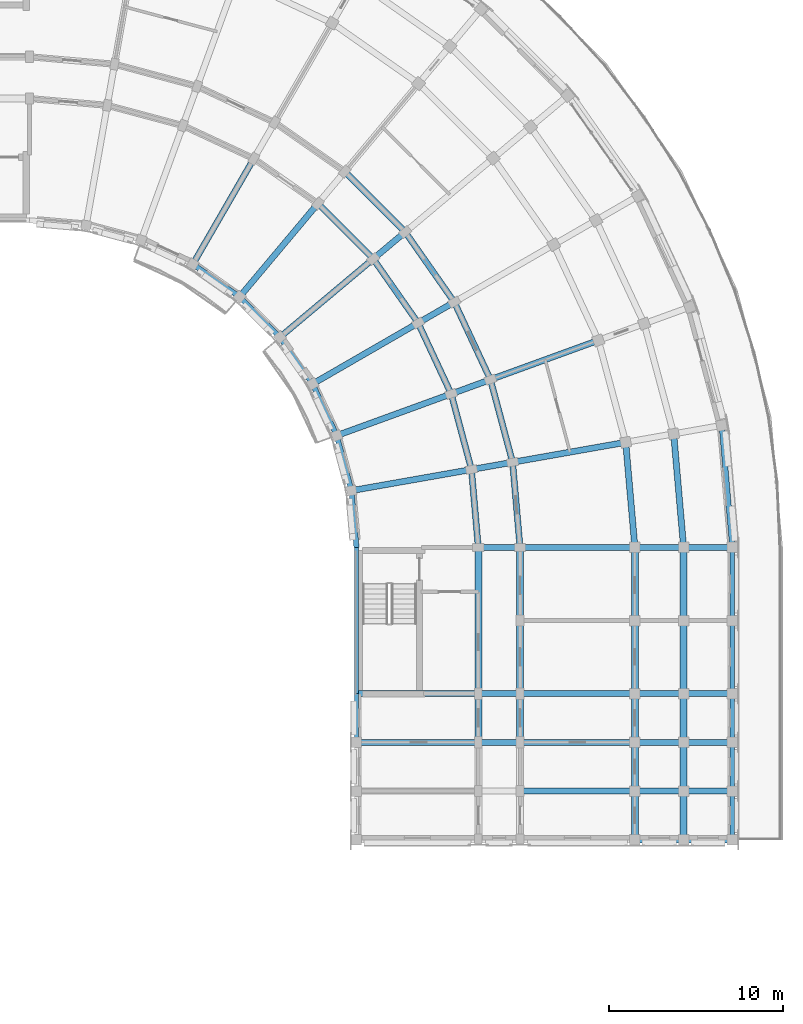
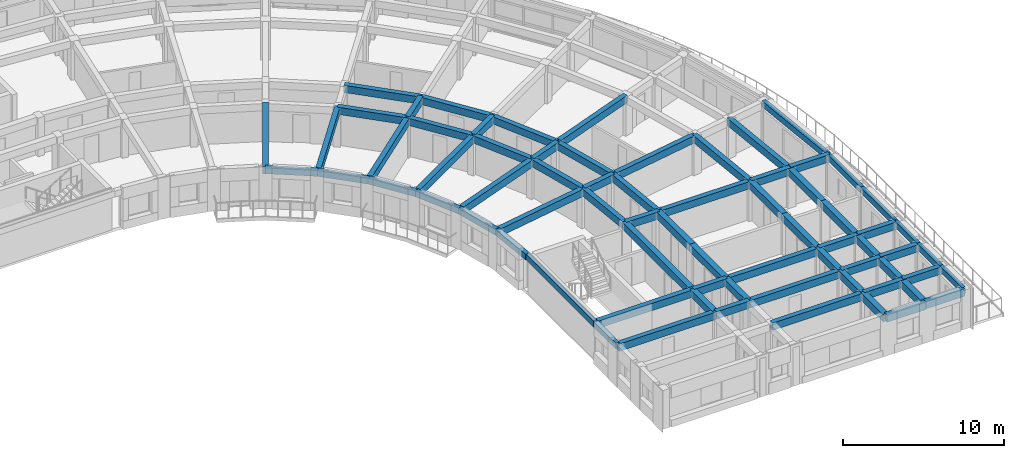
# One storey, part 8 of 41: 72 beams.
"""IFC4 building model written with IfcOpenShell, lengths in metres."""

from ifc_helpers import new_model, si_unit, direction, frame, origin, origin_2d, place, context, subcontext, project, spatial, rectangle, extrude, material, material_profile, profile_set, type_object, element, save


model = new_model("IFC4")

# Units and contexts
model_context = context("Model", 3, precision=1e-05, world=origin(), true_north=direction((0.0, 1.0)))
body_context = subcontext(model_context, "Body", "Model", "MODEL_VIEW")
ifc_project = project(units=[si_unit("LENGTHUNIT", "METRE"), si_unit("AREAUNIT", "SQUARE_METRE"), si_unit("VOLUMEUNIT", "CUBIC_METRE"), si_unit("PLANEANGLEUNIT", "RADIAN"), si_unit("MASSUNIT", "GRAM", prefix="KILO")], contexts=[model_context])

# Site, building, storey
site_placement = place(None, origin())
site = spatial("IfcSite", under=ifc_project, at=site_placement, CompositionType="ELEMENT")
building_placement = place(site_placement, origin())
building = spatial("IfcBuilding", under=site, at=building_placement, Name="Kiranvali Square Residences", CompositionType="ELEMENT")
storey_placement = place(building_placement, frame((0.0, 0.0, 33.89990234375)))
storey = spatial("IfcBuildingStorey", under=building, at=storey_placement, Name="L10", CompositionType="ELEMENT", Elevation=33.89990234375)

# Beams
ifc_material_1 = material(Name="Concrete M40 (40 MPa)", Category="concrete")
ifc_material_profile_1 = material_profile(ifc_material_1, rectangle(XDim=0.35009765625, YDim=0.550048828125, at=origin_2d()), Name="RC 350x550")
ifc_profile_set_1 = profile_set([ifc_material_profile_1], Name="Concrete M40 (40 MPa)")
beam_type_1 = type_object("IfcBeamType", Name="BM-M40-350x550", PredefinedType="BEAM", material=ifc_profile_set_1)
beam_1_placement = place(storey_placement, frame((136.384033203125, 107.56396484375, 2.655029296875), z_axis=(0.707106781187, -0.707106781187, 0.0), x_axis=(0.707106781187, 0.707106781187, 0.0)))
element("IfcBeam", 1, at=beam_1_placement, inside=storey, type_object=beam_type_1, Name="L10 beam BM-B-L10-C04-R1", PredefinedType="BEAM", context=body_context, shape_type="SweptSolid", body=[
    extrude(rectangle(XDim=0.35009765625, YDim=0.550048828125, at=origin_2d()), origin(), (0.0, 0.0, 1.0), 4.4970703125),
])
beam_2_placement = place(storey_placement, frame((137.926513671875, 109.40234375, 2.655029296875), z_axis=(0.707106781187, -0.707106781187, 0.0), x_axis=(0.707106781187, 0.707106781187, 0.0)))
element("IfcBeam", 2, at=beam_2_placement, inside=storey, type_object=beam_type_1, Name="L10 beam BM-B-L10-C04-R2", PredefinedType="BEAM", context=body_context, shape_type="SweptSolid", body=[
    extrude(rectangle(XDim=0.35009765625, YDim=0.550048828125, at=origin_2d()), origin(), (0.0, 0.0, 1.0), 4.91552734375),
])
beam_3_placement = place(storey_placement, frame((139.56396484375, 104.384033203125, 2.655029296875), z_axis=(0.573571637217, -0.819155404658, 0.0), x_axis=(0.819155404658, 0.573571637217, 0.0)))
element("IfcBeam", 3, at=beam_3_placement, inside=storey, type_object=beam_type_1, Name="L10 beam BM-B-L10-C05-R1", PredefinedType="BEAM", context=body_context, shape_type="SweptSolid", body=[
    extrude(rectangle(XDim=0.35009765625, YDim=0.550048828125, at=origin_2d()), origin(), (0.0, 0.0, 1.0), 4.497314453125),
])
beam_4_placement = place(storey_placement, frame((141.40234375, 105.926513671875, 2.655029296875), z_axis=(0.573592335331, -0.819140911474, 0.0), x_axis=(0.819140911474, 0.573592335331, 0.0)))
element("IfcBeam", 4, at=beam_4_placement, inside=storey, type_object=beam_type_1, Name="L10 beam BM-B-L10-C05-R2", PredefinedType="BEAM", context=body_context, shape_type="SweptSolid", body=[
    extrude(rectangle(XDim=0.35009765625, YDim=0.550048828125, at=origin_2d()), origin(), (0.0, 0.0, 1.0), 4.915771484375),
])
beam_5_placement = place(storey_placement, frame((142.1435546875, 100.699951171875, 2.655029296875), z_axis=(0.422617978463, -0.906307919131, 0.0), x_axis=(0.906307919131, 0.422617978463, 0.0)))
element("IfcBeam", 5, at=beam_5_placement, inside=storey, type_object=beam_type_1, Name="L10 beam BM-B-L10-C06-R1", PredefinedType="BEAM", context=body_context, shape_type="SweptSolid", body=[
    extrude(rectangle(XDim=0.35009765625, YDim=0.550048828125, at=origin_2d()), origin(), (0.0, 0.0, 1.0), 4.497314453125),
])
beam_6_placement = place(storey_placement, frame((144.221923828125, 101.89990234375, 2.655029296875), z_axis=(0.422629854778, -0.906302381024, 0.0), x_axis=(0.906302381024, 0.422629854778, 0.0)))
element("IfcBeam", 6, at=beam_6_placement, inside=storey, type_object=beam_type_1, Name="L10 beam BM-B-L10-C06-R2", PredefinedType="BEAM", context=body_context, shape_type="SweptSolid", body=[
    extrude(rectangle(XDim=0.35009765625, YDim=0.550048828125, at=origin_2d()), origin(), (0.0, 0.0, 1.0), 4.915283203125),
])
beam_7_placement = place(storey_placement, frame((144.044189453125, 96.6240234375, 2.655029296875), z_axis=(0.258787642463, -0.965934240054, 0.0), x_axis=(0.965934240054, 0.258787642463, 0.0)))
element("IfcBeam", 7, at=beam_7_placement, inside=storey, type_object=beam_type_1, Name="L10 beam BM-B-L10-C07-R1", PredefinedType="BEAM", context=body_context, shape_type="SweptSolid", body=[
    extrude(rectangle(XDim=0.35009765625, YDim=0.550048828125, at=origin_2d()), origin(), (0.0, 0.0, 1.0), 4.497314453125),
])
beam_8_placement = place(storey_placement, frame((146.29931640625, 97.445068359375, 2.655029296875), z_axis=(0.258803112091, -0.965930095386, 0.0), x_axis=(0.965930095386, 0.258803112091, 0.0)))
element("IfcBeam", 8, at=beam_8_placement, inside=storey, type_object=beam_type_1, Name="L10 beam BM-B-L10-C07-R2", PredefinedType="BEAM", context=body_context, shape_type="SweptSolid", body=[
    extrude(rectangle(XDim=0.35009765625, YDim=0.550048828125, at=origin_2d()), origin(), (0.0, 0.0, 1.0), 4.915771484375),
])
beam_9_placement = place(storey_placement, frame((145.2080078125, 92.280029296875, 2.655029296875), z_axis=(0.087187153726, -0.996191949488, 0.0), x_axis=(0.996191949488, 0.087187153726, 0.0)))
element("IfcBeam", 9, at=beam_9_placement, inside=storey, type_object=beam_type_1, Name="L10 beam BM-B-L10-C08-R1", PredefinedType="BEAM", context=body_context, shape_type="SweptSolid", body=[
    extrude(rectangle(XDim=0.35009765625, YDim=0.550048828125, at=origin_2d()), origin(), (0.0, 0.0, 1.0), 4.4970703125),
])
beam_10_placement = place(storey_placement, frame((147.571533203125, 92.69677734375, 2.655029296875), z_axis=(0.087167566415, -0.996193663584, 0.0), x_axis=(0.996193663584, 0.087167566415, 0.0)))
element("IfcBeam", 10, at=beam_10_placement, inside=storey, type_object=beam_type_1, Name="L10 beam BM-B-L10-C08-R2", PredefinedType="BEAM", context=body_context, shape_type="SweptSolid", body=[
    extrude(rectangle(XDim=0.35009765625, YDim=0.550048828125, at=origin_2d()), origin(), (0.0, 0.0, 1.0), 4.91552734375),
])
beam_11_placement = place(storey_placement, frame((154.0712890625, 93.843017578125, 2.655029296875), z_axis=(0.087174938512, -0.996193018494, 0.0), x_axis=(0.996193018494, 0.087174938512, 0.0)))
element("IfcBeam", 11, at=beam_11_placement, inside=storey, type_object=beam_type_1, Name="L10 beam BM-B-L10-C08-R3", PredefinedType="BEAM", context=body_context, shape_type="SweptSolid", body=[
    extrude(rectangle(XDim=0.35009765625, YDim=0.550048828125, at=origin_2d()), origin(), (0.0, 0.0, 1.0), 6.066162109375),
])
beam_12_placement = place(storey_placement, frame((156.828857421875, 94.3291015625, 2.655029296875), z_axis=(0.0871295204, -0.996196991902, 0.0), x_axis=(0.996196991902, 0.0871295204, 0.0)))
element("IfcBeam", 12, at=beam_12_placement, inside=storey, type_object=beam_type_1, Name="L10 beam BM-B-L10-C08-R4", PredefinedType="BEAM", context=body_context, shape_type="SweptSolid", body=[
    extrude(rectangle(XDim=0.35009765625, YDim=0.550048828125, at=origin_2d()), origin(), (0.0, 0.0, 1.0), 6.553955078125),
])
for number, where, z_axis, x_axis, name in (
    (13, (129.199951171875, 104.081298828125, 2.655029296875), (0.499995173006, 0.866028190633, 0.0), (-0.866028190633, 0.499995173006, 0.0), "L10 beam BM-B-L10-RAD03-01"),
    (14, (131.884521484375, 102.20166015625, 2.655029296875), (0.642787931032, 0.766044173478, 0.0), (-0.766044173478, 0.642787931032, 0.0), "L10 beam BM-B-L10-RAD04-01"),
    (15, (134.20166015625, 99.884521484375, 2.655029296875), (0.766044173478, 0.642787931032, 0.0), (-0.642787931032, 0.766044173478, 0.0), "L10 beam BM-B-L10-RAD05-01"),
):
    element("IfcBeam", number, at=place(storey_placement, frame(where, z_axis=z_axis, x_axis=x_axis)), inside=storey, type_object=beam_type_1, Name=name, PredefinedType="BEAM", context=body_context, shape_type="SweptSolid", body=[
        extrude(rectangle(XDim=0.35009765625, YDim=0.550048828125, at=origin_2d()), origin(), (0.0, 0.0, 1.0), 7.0),
    ])
beam_13_placement = place(storey_placement, frame((139.56396484375, 104.384033203125, 2.655029296875), z_axis=(0.766065493671, 0.642762521781, 0.0), x_axis=(-0.642762521781, 0.766065493671, 0.0)))
element("IfcBeam", 16, at=beam_13_placement, inside=storey, type_object=beam_type_1, Name="L10 beam BM-B-L10-RAD05-12", PredefinedType="BEAM", context=body_context, shape_type="SweptSolid", body=[
    extrude(rectangle(XDim=0.35009765625, YDim=0.550048828125, at=origin_2d()), origin(), (0.0, 0.0, 1.0), 2.399658203125),
])
beam_14_placement = place(storey_placement, frame((136.081298828125, 97.199951171875, 2.655029296875), z_axis=(0.866028190633, 0.499995173006, 0.0), x_axis=(-0.499995173006, 0.866028190633, 0.0)))
element("IfcBeam", 17, at=beam_14_placement, inside=storey, type_object=beam_type_1, Name="L10 beam BM-B-L10-RAD06-01", PredefinedType="BEAM", context=body_context, shape_type="SweptSolid", body=[
    extrude(rectangle(XDim=0.35009765625, YDim=0.550048828125, at=origin_2d()), origin(), (0.0, 0.0, 1.0), 7.0),
])
beam_15_placement = place(storey_placement, frame((142.1435546875, 100.699951171875, 2.655029296875), z_axis=(0.866024647952, 0.500001309137, 0.0), x_axis=(-0.500001309137, 0.866024647952, 0.0)))
element("IfcBeam", 18, at=beam_15_placement, inside=storey, type_object=beam_type_1, Name="L10 beam BM-B-L10-RAD06-12", PredefinedType="BEAM", context=body_context, shape_type="SweptSolid", body=[
    extrude(rectangle(XDim=0.35009765625, YDim=0.550048828125, at=origin_2d()), origin(), (0.0, 0.0, 1.0), 2.39990234375),
])
beam_16_placement = place(storey_placement, frame((137.46630859375, 94.22998046875, 2.655029296875), z_axis=(0.939697665127, 0.342006283793, 0.0), x_axis=(-0.342006283793, 0.939697665127, 0.0)))
element("IfcBeam", 19, at=beam_16_placement, inside=storey, type_object=beam_type_1, Name="L10 beam BM-B-L10-RAD07-01", PredefinedType="BEAM", context=body_context, shape_type="SweptSolid", body=[
    extrude(rectangle(XDim=0.35009765625, YDim=0.550048828125, at=origin_2d()), origin(), (0.0, 0.0, 1.0), 7.0),
])
beam_17_placement = place(storey_placement, frame((144.044189453125, 96.6240234375, 2.655029296875), z_axis=(0.939659694648, 0.342110593602, 0.0), x_axis=(-0.342110593602, 0.939659694648, 0.0)))
element("IfcBeam", 20, at=beam_17_placement, inside=storey, type_object=beam_type_1, Name="L10 beam BM-B-L10-RAD07-12", PredefinedType="BEAM", context=body_context, shape_type="SweptSolid", body=[
    extrude(rectangle(XDim=0.35009765625, YDim=0.550048828125, at=origin_2d()), origin(), (0.0, 0.0, 1.0), 2.39990234375),
])
beam_18_placement = place(storey_placement, frame((146.29931640625, 97.445068359375, 2.655029296875), z_axis=(0.939691858249, 0.342022238372, 0.0), x_axis=(-0.342022238372, 0.939691858249, 0.0)))
element("IfcBeam", 21, at=beam_18_placement, inside=storey, type_object=beam_type_1, Name="L10 beam BM-B-L10-RAD07-23", PredefinedType="BEAM", context=body_context, shape_type="SweptSolid", body=[
    extrude(rectangle(XDim=0.35009765625, YDim=0.550048828125, at=origin_2d()), origin(), (0.0, 0.0, 1.0), 6.599853515625),
])
beam_19_placement = place(storey_placement, frame((138.314453125, 91.064697265625, 2.655029296875), z_axis=(0.984812337125, 0.173622177865, 0.0), x_axis=(-0.173622177865, 0.984812337125, 0.0)))
element("IfcBeam", 22, at=beam_19_placement, inside=storey, type_object=beam_type_1, Name="L10 beam BM-B-L10-RAD08-01", PredefinedType="BEAM", context=body_context, shape_type="SweptSolid", body=[
    extrude(rectangle(XDim=0.35009765625, YDim=0.550048828125, at=origin_2d()), origin(), (0.0, 0.0, 1.0), 6.999755859375),
])
beam_20_placement = place(storey_placement, frame((145.2080078125, 92.280029296875, 2.655029296875), z_axis=(0.984808127031, 0.173646056486, 0.0), x_axis=(-0.173646056486, 0.984808127031, 0.0)))
element("IfcBeam", 23, at=beam_20_placement, inside=storey, type_object=beam_type_1, Name="L10 beam BM-B-L10-RAD08-12", PredefinedType="BEAM", context=body_context, shape_type="SweptSolid", body=[
    extrude(rectangle(XDim=0.35009765625, YDim=0.550048828125, at=origin_2d()), origin(), (0.0, 0.0, 1.0), 2.39990234375),
])
beam_21_placement = place(storey_placement, frame((147.571533203125, 92.69677734375, 2.655029296875), z_axis=(0.984803661269, 0.173671381499, 0.0), x_axis=(-0.173671381499, 0.984803661269, 0.0)))
element("IfcBeam", 24, at=beam_21_placement, inside=storey, type_object=beam_type_1, Name="L10 beam BM-B-L10-RAD08-23", PredefinedType="BEAM", context=body_context, shape_type="SweptSolid", body=[
    extrude(rectangle(XDim=0.35009765625, YDim=0.550048828125, at=origin_2d()), origin(), (0.0, 0.0, 1.0), 6.60009765625),
])
beam_22_placement = place(storey_placement, frame((145.60009765625, 87.800048828125, 2.655029296875), z_axis=(1.0, 0.0, 0.0), x_axis=(0.0, 1.0, 0.0)))
element("IfcBeam", 25, at=beam_22_placement, inside=storey, type_object=beam_type_1, Name="L10 beam BM-B-L10-A2T0-12", PredefinedType="BEAM", context=body_context, shape_type="SweptSolid", body=[
    extrude(rectangle(XDim=0.35009765625, YDim=0.550048828125, at=origin_2d()), origin(), (0.0, 0.0, 1.0), 2.39990234375),
])
beam_23_placement = place(storey_placement, frame((148.0, 87.800048828125, 2.655029296875), z_axis=(1.0, 0.0, 0.0), x_axis=(0.0, 1.0, 0.0)))
element("IfcBeam", 26, at=beam_23_placement, inside=storey, type_object=beam_type_1, Name="L10 beam BM-B-L10-A2T0-23", PredefinedType="BEAM", context=body_context, shape_type="SweptSolid", body=[
    extrude(rectangle(XDim=0.35009765625, YDim=0.550048828125, at=origin_2d()), origin(), (0.0, 0.0, 1.0), 6.60009765625),
])
beam_24_placement = place(storey_placement, frame((154.60009765625, 87.800048828125, 2.655029296875), z_axis=(1.0, 0.0, 0.0), x_axis=(0.0, 1.0, 0.0)))
element("IfcBeam", 27, at=beam_24_placement, inside=storey, type_object=beam_type_1, Name="L10 beam BM-B-L10-A2T0-34", PredefinedType="BEAM", context=body_context, shape_type="SweptSolid", body=[
    extrude(rectangle(XDim=0.35009765625, YDim=0.550048828125, at=origin_2d()), origin(), (0.0, 0.0, 1.0), 2.7998046875),
])
beam_25_placement = place(storey_placement, frame((157.39990234375, 87.800048828125, 2.695068359375), z_axis=(1.0, 0.0, 0.0), x_axis=(0.0, 1.0, 0.0)))
element("IfcBeam", 28, at=beam_25_placement, inside=storey, type_object=beam_type_1, Name="L10 beam BM-B-L10-A2T0-45", PredefinedType="BEAM", context=body_context, shape_type="SweptSolid", body=[
    extrude(rectangle(XDim=0.35009765625, YDim=0.550048828125, at=origin_2d()), origin(), (0.0, 0.0, 1.0), 2.800048828125),
])
beam_26_placement = place(storey_placement, frame((138.60009765625, 79.39990234375, 2.655029296875), z_axis=(1.0, 0.0, 0.0), x_axis=(0.0, 1.0, 0.0)))
element("IfcBeam", 29, at=beam_26_placement, inside=storey, type_object=beam_type_1, Name="L10 beam BM-B-L10-A2T1-01", PredefinedType="BEAM", context=body_context, shape_type="SweptSolid", body=[
    extrude(rectangle(XDim=0.35009765625, YDim=0.550048828125, at=origin_2d()), origin(), (0.0, 0.0, 1.0), 7.0),
])
beam_27_placement = place(storey_placement, frame((145.60009765625, 79.39990234375, 2.655029296875), z_axis=(1.0, 0.0, 0.0), x_axis=(0.0, 1.0, 0.0)))
element("IfcBeam", 30, at=beam_27_placement, inside=storey, type_object=beam_type_1, Name="L10 beam BM-B-L10-A2T1-12", PredefinedType="BEAM", context=body_context, shape_type="SweptSolid", body=[
    extrude(rectangle(XDim=0.35009765625, YDim=0.550048828125, at=origin_2d()), origin(), (0.0, 0.0, 1.0), 2.39990234375),
])
beam_28_placement = place(storey_placement, frame((148.0, 79.39990234375, 2.655029296875), z_axis=(1.0, 0.0, 0.0), x_axis=(0.0, 1.0, 0.0)))
element("IfcBeam", 31, at=beam_28_placement, inside=storey, type_object=beam_type_1, Name="L10 beam BM-B-L10-A2T1-23", PredefinedType="BEAM", context=body_context, shape_type="SweptSolid", body=[
    extrude(rectangle(XDim=0.35009765625, YDim=0.550048828125, at=origin_2d()), origin(), (0.0, 0.0, 1.0), 6.60009765625),
])
beam_29_placement = place(storey_placement, frame((154.60009765625, 79.39990234375, 2.655029296875), z_axis=(1.0, 0.0, 0.0), x_axis=(0.0, 1.0, 0.0)))
element("IfcBeam", 32, at=beam_29_placement, inside=storey, type_object=beam_type_1, Name="L10 beam BM-B-L10-A2T1-34", PredefinedType="BEAM", context=body_context, shape_type="SweptSolid", body=[
    extrude(rectangle(XDim=0.35009765625, YDim=0.550048828125, at=origin_2d()), origin(), (0.0, 0.0, 1.0), 2.7998046875),
])
beam_30_placement = place(storey_placement, frame((157.39990234375, 79.39990234375, 2.695068359375), z_axis=(1.0, 0.0, 0.0), x_axis=(0.0, 1.0, 0.0)))
element("IfcBeam", 33, at=beam_30_placement, inside=storey, type_object=beam_type_1, Name="L10 beam BM-B-L10-A2T1-45", PredefinedType="BEAM", context=body_context, shape_type="SweptSolid", body=[
    extrude(rectangle(XDim=0.35009765625, YDim=0.550048828125, at=origin_2d()), origin(), (0.0, 0.0, 1.0), 2.800048828125),
])
beam_31_placement = place(storey_placement, frame((138.60009765625, 76.60009765625, 2.655029296875), z_axis=(1.0, 0.0, 0.0), x_axis=(0.0, 1.0, 0.0)))
element("IfcBeam", 34, at=beam_31_placement, inside=storey, type_object=beam_type_1, Name="L10 beam BM-B-L10-A2T2-01", PredefinedType="BEAM", context=body_context, shape_type="SweptSolid", body=[
    extrude(rectangle(XDim=0.35009765625, YDim=0.550048828125, at=origin_2d()), origin(), (0.0, 0.0, 1.0), 7.0),
])
beam_32_placement = place(storey_placement, frame((145.60009765625, 76.60009765625, 2.655029296875), z_axis=(1.0, 0.0, 0.0), x_axis=(0.0, 1.0, 0.0)))
element("IfcBeam", 35, at=beam_32_placement, inside=storey, type_object=beam_type_1, Name="L10 beam BM-B-L10-A2T2-12", PredefinedType="BEAM", context=body_context, shape_type="SweptSolid", body=[
    extrude(rectangle(XDim=0.35009765625, YDim=0.550048828125, at=origin_2d()), origin(), (0.0, 0.0, 1.0), 2.39990234375),
])
beam_33_placement = place(storey_placement, frame((148.0, 76.60009765625, 2.655029296875), z_axis=(1.0, 0.0, 0.0), x_axis=(0.0, 1.0, 0.0)))
element("IfcBeam", 36, at=beam_33_placement, inside=storey, type_object=beam_type_1, Name="L10 beam BM-B-L10-A2T2-23", PredefinedType="BEAM", context=body_context, shape_type="SweptSolid", body=[
    extrude(rectangle(XDim=0.35009765625, YDim=0.550048828125, at=origin_2d()), origin(), (0.0, 0.0, 1.0), 6.60009765625),
])
beam_34_placement = place(storey_placement, frame((154.60009765625, 76.60009765625, 2.655029296875), z_axis=(1.0, 0.0, 0.0), x_axis=(0.0, 1.0, 0.0)))
element("IfcBeam", 37, at=beam_34_placement, inside=storey, type_object=beam_type_1, Name="L10 beam BM-B-L10-A2T2-34", PredefinedType="BEAM", context=body_context, shape_type="SweptSolid", body=[
    extrude(rectangle(XDim=0.35009765625, YDim=0.550048828125, at=origin_2d()), origin(), (0.0, 0.0, 1.0), 2.7998046875),
])
beam_35_placement = place(storey_placement, frame((157.39990234375, 76.60009765625, 2.695068359375), z_axis=(1.0, 0.0, 0.0), x_axis=(0.0, 1.0, 0.0)))
element("IfcBeam", 38, at=beam_35_placement, inside=storey, type_object=beam_type_1, Name="L10 beam BM-B-L10-A2T2-45", PredefinedType="BEAM", context=body_context, shape_type="SweptSolid", body=[
    extrude(rectangle(XDim=0.35009765625, YDim=0.550048828125, at=origin_2d()), origin(), (0.0, 0.0, 1.0), 2.800048828125),
])
beam_36_placement = place(storey_placement, frame((148.0, 73.800048828125, 2.655029296875), z_axis=(1.0, 0.0, 0.0), x_axis=(0.0, 1.0, 0.0)))
element("IfcBeam", 39, at=beam_36_placement, inside=storey, type_object=beam_type_1, Name="L10 beam BM-B-L10-A2T3-23", PredefinedType="BEAM", context=body_context, shape_type="SweptSolid", body=[
    extrude(rectangle(XDim=0.35009765625, YDim=0.550048828125, at=origin_2d()), origin(), (0.0, 0.0, 1.0), 6.60009765625),
])
beam_37_placement = place(storey_placement, frame((154.60009765625, 73.800048828125, 2.655029296875), z_axis=(1.0, 0.0, 0.0), x_axis=(0.0, 1.0, 0.0)))
element("IfcBeam", 40, at=beam_37_placement, inside=storey, type_object=beam_type_1, Name="L10 beam BM-B-L10-A2T3-34", PredefinedType="BEAM", context=body_context, shape_type="SweptSolid", body=[
    extrude(rectangle(XDim=0.35009765625, YDim=0.550048828125, at=origin_2d()), origin(), (0.0, 0.0, 1.0), 2.7998046875),
])
beam_38_placement = place(storey_placement, frame((157.39990234375, 73.800048828125, 2.695068359375), z_axis=(1.0, 0.0, 0.0), x_axis=(0.0, 1.0, 0.0)))
element("IfcBeam", 41, at=beam_38_placement, inside=storey, type_object=beam_type_1, Name="L10 beam BM-B-L10-A2T3-45", PredefinedType="BEAM", context=body_context, shape_type="SweptSolid", body=[
    extrude(rectangle(XDim=0.35009765625, YDim=0.550048828125, at=origin_2d()), origin(), (0.0, 0.0, 1.0), 2.800048828125),
])
beam_39_placement = place(storey_placement, frame((154.60009765625, 71.0, 2.655029296875), z_axis=(1.0, 0.0, 0.0), x_axis=(0.0, 1.0, 0.0)))
element("IfcBeam", 42, at=beam_39_placement, inside=storey, type_object=beam_type_1, Name="L10 beam BM-B-L10-A2T4-34", PredefinedType="BEAM", context=body_context, shape_type="SweptSolid", body=[
    extrude(rectangle(XDim=0.35009765625, YDim=0.550048828125, at=origin_2d()), origin(), (0.0, 0.0, 1.0), 2.7998046875),
])
beam_40_placement = place(storey_placement, frame((157.39990234375, 71.0, 2.695068359375), z_axis=(1.0, 0.0, 0.0), x_axis=(0.0, 1.0, 0.0)))
element("IfcBeam", 43, at=beam_40_placement, inside=storey, type_object=beam_type_1, Name="L10 beam BM-B-L10-A2T4-45", PredefinedType="BEAM", context=body_context, shape_type="SweptSolid", body=[
    extrude(rectangle(XDim=0.35009765625, YDim=0.550048828125, at=origin_2d()), origin(), (0.0, 0.0, 1.0), 2.800048828125),
])
ifc_material_2 = material(Name="Concrete M45 (45 MPa)", Category="concrete")
ifc_material_profile_2 = material_profile(ifc_material_2, rectangle(XDim=0.39990234375, YDim=0.550048828125, at=origin_2d()), Name="RC 400x550")
ifc_profile_set_2 = profile_set([ifc_material_profile_2], Name="Concrete M45 (45 MPa)")
beam_type_2 = type_object("IfcBeamType", Name="BM-M45-400x550", PredefinedType="BEAM", material=ifc_profile_set_2)
beam_41_placement = place(storey_placement, frame((145.60009765625, 87.800048828125, 2.655029296875), z_axis=(0.0, -1.0, 0.0), x_axis=(1.0, 0.0, 0.0)))
element("IfcBeam", 44, at=beam_41_placement, inside=storey, type_object=beam_type_2, Name="L10 beam BM-B-L10-A2V0-R1", PredefinedType="BEAM", context=body_context, shape_type="SweptSolid", body=[
    extrude(rectangle(XDim=0.39990234375, YDim=0.550048828125, at=origin_2d()), origin(), (0.0, 0.0, 1.0), 8.400146484375),
])
beam_42_placement = place(storey_placement, frame((145.60009765625, 79.39990234375, 2.655029296875), z_axis=(0.0, -1.0, 0.0), x_axis=(1.0, 0.0, 0.0)))
element("IfcBeam", 45, at=beam_42_placement, inside=storey, type_object=beam_type_2, Name="L10 beam BM-B-L10-A2V1-R1", PredefinedType="BEAM", context=body_context, shape_type="SweptSolid", body=[
    extrude(rectangle(XDim=0.39990234375, YDim=0.550048828125, at=origin_2d()), origin(), (0.0, 0.0, 1.0), 2.7998046875),
])
beam_43_placement = place(storey_placement, frame((148.0, 87.800048828125, 2.655029296875), z_axis=(0.0, -1.0, 0.0), x_axis=(1.0, 0.0, 0.0)))
element("IfcBeam", 46, at=beam_43_placement, inside=storey, type_object=beam_type_2, Name="L10 beam BM-B-L10-A2V0-R2", PredefinedType="BEAM", context=body_context, shape_type="SweptSolid", body=[
    extrude(rectangle(XDim=0.39990234375, YDim=0.550048828125, at=origin_2d()), origin(), (0.0, 0.0, 1.0), 4.199951171875),
])
beam_44_placement = place(storey_placement, frame((148.0, 83.60009765625, 2.655029296875), z_axis=(0.0, -1.0, 0.0), x_axis=(1.0, 0.0, 0.0)))
element("IfcBeam", 47, at=beam_44_placement, inside=storey, type_object=beam_type_2, Name="L10 beam BM-B-L10-A2V1-R2", PredefinedType="BEAM", context=body_context, shape_type="SweptSolid", body=[
    extrude(rectangle(XDim=0.39990234375, YDim=0.550048828125, at=origin_2d()), origin(), (0.0, 0.0, 1.0), 4.2001953125),
])
beam_45_placement = place(storey_placement, frame((148.0, 79.39990234375, 2.655029296875), z_axis=(0.0, -1.0, 0.0), x_axis=(1.0, 0.0, 0.0)))
element("IfcBeam", 48, at=beam_45_placement, inside=storey, type_object=beam_type_2, Name="L10 beam BM-B-L10-A2V2-R2", PredefinedType="BEAM", context=body_context, shape_type="SweptSolid", body=[
    extrude(rectangle(XDim=0.39990234375, YDim=0.550048828125, at=origin_2d()), origin(), (0.0, 0.0, 1.0), 2.7998046875),
])
beam_46_placement = place(storey_placement, frame((154.60009765625, 87.800048828125, 2.655029296875), z_axis=(0.0, -1.0, 0.0), x_axis=(1.0, 0.0, 0.0)))
element("IfcBeam", 49, at=beam_46_placement, inside=storey, type_object=beam_type_2, Name="L10 beam BM-B-L10-A2V0-R3", PredefinedType="BEAM", context=body_context, shape_type="SweptSolid", body=[
    extrude(rectangle(XDim=0.39990234375, YDim=0.550048828125, at=origin_2d()), origin(), (0.0, 0.0, 1.0), 4.199951171875),
])
beam_47_placement = place(storey_placement, frame((154.60009765625, 83.60009765625, 2.655029296875), z_axis=(0.0, -1.0, 0.0), x_axis=(1.0, 0.0, 0.0)))
element("IfcBeam", 50, at=beam_47_placement, inside=storey, type_object=beam_type_2, Name="L10 beam BM-B-L10-A2V1-R3", PredefinedType="BEAM", context=body_context, shape_type="SweptSolid", body=[
    extrude(rectangle(XDim=0.39990234375, YDim=0.550048828125, at=origin_2d()), origin(), (0.0, 0.0, 1.0), 4.2001953125),
])
beam_48_placement = place(storey_placement, frame((154.60009765625, 79.39990234375, 2.655029296875), z_axis=(0.0, -1.0, 0.0), x_axis=(1.0, 0.0, 0.0)))
element("IfcBeam", 51, at=beam_48_placement, inside=storey, type_object=beam_type_2, Name="L10 beam BM-B-L10-A2V2-R3", PredefinedType="BEAM", context=body_context, shape_type="SweptSolid", body=[
    extrude(rectangle(XDim=0.39990234375, YDim=0.550048828125, at=origin_2d()), origin(), (0.0, 0.0, 1.0), 2.7998046875),
])
for number, where, z_axis, x_axis, name in (
    (52, (154.60009765625, 76.60009765625, 2.655029296875), (0.0, -1.0, 0.0), (1.0, 0.0, 0.0), "L10 beam BM-B-L10-A2V3-R3"),
    (53, (154.60009765625, 73.800048828125, 2.655029296875), (0.0, -1.0, 0.0), (1.0, 0.0, 0.0), "L10 beam BM-B-L10-A2V4-R3"),
):
    element("IfcBeam", number, at=place(storey_placement, frame(where, z_axis=z_axis, x_axis=x_axis)), inside=storey, type_object=beam_type_2, Name=name, PredefinedType="BEAM", context=body_context, shape_type="SweptSolid", body=[
        extrude(rectangle(XDim=0.39990234375, YDim=0.550048828125, at=origin_2d()), origin(), (0.0, 0.0, 1.0), 2.800048828125),
    ])
beam_49_placement = place(storey_placement, frame((157.39990234375, 87.800048828125, 2.655029296875), z_axis=(0.0, -1.0, 0.0), x_axis=(1.0, 0.0, 0.0)))
element("IfcBeam", 54, at=beam_49_placement, inside=storey, type_object=beam_type_2, Name="L10 beam BM-B-L10-A2V0-R4", PredefinedType="BEAM", context=body_context, shape_type="SweptSolid", body=[
    extrude(rectangle(XDim=0.39990234375, YDim=0.550048828125, at=origin_2d()), origin(), (0.0, 0.0, 1.0), 4.199951171875),
])
beam_50_placement = place(storey_placement, frame((157.39990234375, 83.60009765625, 2.655029296875), z_axis=(0.0, -1.0, 0.0), x_axis=(1.0, 0.0, 0.0)))
element("IfcBeam", 55, at=beam_50_placement, inside=storey, type_object=beam_type_2, Name="L10 beam BM-B-L10-A2V1-R4", PredefinedType="BEAM", context=body_context, shape_type="SweptSolid", body=[
    extrude(rectangle(XDim=0.39990234375, YDim=0.550048828125, at=origin_2d()), origin(), (0.0, 0.0, 1.0), 4.2001953125),
])
beam_51_placement = place(storey_placement, frame((157.39990234375, 79.39990234375, 2.655029296875), z_axis=(0.0, -1.0, 0.0), x_axis=(1.0, 0.0, 0.0)))
element("IfcBeam", 56, at=beam_51_placement, inside=storey, type_object=beam_type_2, Name="L10 beam BM-B-L10-A2V2-R4", PredefinedType="BEAM", context=body_context, shape_type="SweptSolid", body=[
    extrude(rectangle(XDim=0.39990234375, YDim=0.550048828125, at=origin_2d()), origin(), (0.0, 0.0, 1.0), 2.7998046875),
])
for number, where, z_axis, x_axis, name in (
    (57, (157.39990234375, 76.60009765625, 2.655029296875), (0.0, -1.0, 0.0), (1.0, 0.0, 0.0), "L10 beam BM-B-L10-A2V3-R4"),
    (58, (157.39990234375, 73.800048828125, 2.655029296875), (0.0, -1.0, 0.0), (1.0, 0.0, 0.0), "L10 beam BM-B-L10-A2V4-R4"),
):
    element("IfcBeam", number, at=place(storey_placement, frame(where, z_axis=z_axis, x_axis=x_axis)), inside=storey, type_object=beam_type_2, Name=name, PredefinedType="BEAM", context=body_context, shape_type="SweptSolid", body=[
        extrude(rectangle(XDim=0.39990234375, YDim=0.550048828125, at=origin_2d()), origin(), (0.0, 0.0, 1.0), 2.800048828125),
    ])
ifc_material_profile_3 = material_profile(ifc_material_1, rectangle(XDim=0.25, YDim=0.449951171875, at=origin_2d()), Name="RC 250x450")
ifc_profile_set_3 = profile_set([ifc_material_profile_3], Name="Concrete M40 (40 MPa)")
beam_type_3 = type_object("IfcBeamType", Name="SPN-M40-250x450", PredefinedType="SPANDREL", material=ifc_profile_set_3)
beam_52_placement = place(storey_placement, frame((138.60009765625, 87.800048828125, 2.705078125), z_axis=(0.0, -1.0, 0.0), x_axis=(1.0, 0.0, 0.0)))
element("IfcBeam", 59, at=beam_52_placement, inside=storey, type_object=beam_type_3, Name="L10 beam BM-B-L10-A2V0-R0", PredefinedType="SPANDREL", context=body_context, shape_type="SweptSolid", body=[
    extrude(rectangle(XDim=0.25, YDim=0.449951171875, at=origin_2d()), origin(), (0.0, 0.0, 1.0), 8.400146484375),
])
beam_53_placement = place(storey_placement, frame((138.60009765625, 79.39990234375, 2.705078125), z_axis=(0.0, -1.0, 0.0), x_axis=(1.0, 0.0, 0.0)))
element("IfcBeam", 60, at=beam_53_placement, inside=storey, type_object=beam_type_3, Name="L10 beam BM-B-L10-A2V1-R0", PredefinedType="SPANDREL", context=body_context, shape_type="SweptSolid", body=[
    extrude(rectangle(XDim=0.25, YDim=0.449951171875, at=origin_2d()), origin(), (0.0, 0.0, 1.0), 2.7998046875),
])
beam_54_placement = place(storey_placement, frame((160.199951171875, 87.800048828125, 2.7451171875), z_axis=(0.0, -1.0, 0.0), x_axis=(1.0, 0.0, 0.0)))
element("IfcBeam", 61, at=beam_54_placement, inside=storey, type_object=beam_type_3, Name="L10 beam BM-B-L10-A2V0-R5", PredefinedType="SPANDREL", context=body_context, shape_type="SweptSolid", body=[
    extrude(rectangle(XDim=0.25, YDim=0.449951171875, at=origin_2d()), origin(), (0.0, 0.0, 1.0), 4.199951171875),
])
beam_55_placement = place(storey_placement, frame((160.199951171875, 83.60009765625, 2.7451171875), z_axis=(0.0, -1.0, 0.0), x_axis=(1.0, 0.0, 0.0)))
element("IfcBeam", 62, at=beam_55_placement, inside=storey, type_object=beam_type_3, Name="L10 beam BM-B-L10-A2V1-R5", PredefinedType="SPANDREL", context=body_context, shape_type="SweptSolid", body=[
    extrude(rectangle(XDim=0.25, YDim=0.449951171875, at=origin_2d()), origin(), (0.0, 0.0, 1.0), 4.2001953125),
])
beam_56_placement = place(storey_placement, frame((160.199951171875, 79.39990234375, 2.7451171875), z_axis=(0.0, -1.0, 0.0), x_axis=(1.0, 0.0, 0.0)))
element("IfcBeam", 63, at=beam_56_placement, inside=storey, type_object=beam_type_3, Name="L10 beam BM-B-L10-A2V2-R5", PredefinedType="SPANDREL", context=body_context, shape_type="SweptSolid", body=[
    extrude(rectangle(XDim=0.25, YDim=0.449951171875, at=origin_2d()), origin(), (0.0, 0.0, 1.0), 2.7998046875),
])
for number, where, z_axis, x_axis, name in (
    (64, (160.199951171875, 76.60009765625, 2.7451171875), (0.0, -1.0, 0.0), (1.0, 0.0, 0.0), "L10 beam BM-B-L10-A2V3-R5"),
    (65, (160.199951171875, 73.800048828125, 2.7451171875), (0.0, -1.0, 0.0), (1.0, 0.0, 0.0), "L10 beam BM-B-L10-A2V4-R5"),
):
    element("IfcBeam", number, at=place(storey_placement, frame(where, z_axis=z_axis, x_axis=x_axis)), inside=storey, type_object=beam_type_3, Name=name, PredefinedType="SPANDREL", context=body_context, shape_type="SweptSolid", body=[
        extrude(rectangle(XDim=0.25, YDim=0.449951171875, at=origin_2d()), origin(), (0.0, 0.0, 1.0), 2.800048828125),
    ])
ifc_material_profile_4 = material_profile(ifc_material_1, rectangle(XDim=0.300048828125, YDim=0.449951171875, at=origin_2d()), Name="RC 300x450")
ifc_profile_set_4 = profile_set([ifc_material_profile_4], Name="Concrete M40 (40 MPa)")
beam_type_4 = type_object("IfcBeamType", Name="SPN-M40-300x450", PredefinedType="SPANDREL", material=ifc_profile_set_4)
beam_57_placement = place(storey_placement, frame((129.199951171875, 104.081298828125, 2.705078125), z_axis=(0.81916891812, -0.573552337269, 0.0), x_axis=(0.573552337269, 0.81916891812, 0.0)))
element("IfcBeam", 66, at=beam_57_placement, inside=storey, type_object=beam_type_4, Name="L10 beam BM-B-L10-C03-R0", PredefinedType="SPANDREL", context=body_context, shape_type="SweptSolid", body=[
    extrude(rectangle(XDim=0.300048828125, YDim=0.449951171875, at=origin_2d()), origin(), (0.0, 0.0, 1.0), 3.277099609375),
])
beam_58_placement = place(storey_placement, frame((131.884521484375, 102.20166015625, 2.705078125), z_axis=(0.707106781187, -0.707106781187, 0.0), x_axis=(0.707106781187, 0.707106781187, 0.0)))
element("IfcBeam", 67, at=beam_58_placement, inside=storey, type_object=beam_type_4, Name="L10 beam BM-B-L10-C04-R0", PredefinedType="SPANDREL", context=body_context, shape_type="SweptSolid", body=[
    extrude(rectangle(XDim=0.300048828125, YDim=0.449951171875, at=origin_2d()), origin(), (0.0, 0.0, 1.0), 3.27685546875),
])
for number, where, z_axis, x_axis, name in (
    (68, (134.20166015625, 99.884521484375, 2.705078125), (0.573552337269, -0.81916891812, 0.0), (0.81916891812, 0.573552337269, 0.0), "L10 beam BM-B-L10-C05-R0"),
    (69, (136.081298828125, 97.199951171875, 2.705078125), (0.422640740585, -0.90629730464, 0.0), (0.90629730464, 0.422640740585, 0.0), "L10 beam BM-B-L10-C06-R0"),
):
    element("IfcBeam", number, at=place(storey_placement, frame(where, z_axis=z_axis, x_axis=x_axis)), inside=storey, type_object=beam_type_4, Name=name, PredefinedType="SPANDREL", context=body_context, shape_type="SweptSolid", body=[
        extrude(rectangle(XDim=0.300048828125, YDim=0.449951171875, at=origin_2d()), origin(), (0.0, 0.0, 1.0), 3.277099609375),
    ])
beam_59_placement = place(storey_placement, frame((137.46630859375, 94.22998046875, 2.705078125), z_axis=(0.258821736607, -0.965925105099, 0.0), x_axis=(0.965925105099, 0.258821736607, 0.0)))
element("IfcBeam", 70, at=beam_59_placement, inside=storey, type_object=beam_type_4, Name="L10 beam BM-B-L10-C07-R0", PredefinedType="SPANDREL", context=body_context, shape_type="SweptSolid", body=[
    extrude(rectangle(XDim=0.300048828125, YDim=0.449951171875, at=origin_2d()), origin(), (0.0, 0.0, 1.0), 3.27685546875),
])
beam_60_placement = place(storey_placement, frame((138.314453125, 91.064697265625, 2.705078125), z_axis=(0.087163253657, -0.996194040944, 0.0), x_axis=(0.996194040944, 0.087163253657, 0.0)))
element("IfcBeam", 71, at=beam_60_placement, inside=storey, type_object=beam_type_4, Name="L10 beam BM-B-L10-C08-R0", PredefinedType="SPANDREL", context=body_context, shape_type="SweptSolid", body=[
    extrude(rectangle(XDim=0.300048828125, YDim=0.449951171875, at=origin_2d()), origin(), (0.0, 0.0, 1.0), 3.277099609375),
])
beam_61_placement = place(storey_placement, frame((159.586181640625, 94.8154296875, 2.7451171875), z_axis=(0.087156198737, -0.996194658198, 0.0), x_axis=(0.996194658198, 0.087156198737, 0.0)))
element("IfcBeam", 72, at=beam_61_placement, inside=storey, type_object=beam_type_4, Name="L10 beam BM-B-L10-C08-R5", PredefinedType="SPANDREL", context=body_context, shape_type="SweptSolid", body=[
    extrude(rectangle(XDim=0.300048828125, YDim=0.449951171875, at=origin_2d()), origin(), (0.0, 0.0, 1.0), 7.042236328125),
])

save(model, "model.ifc")
